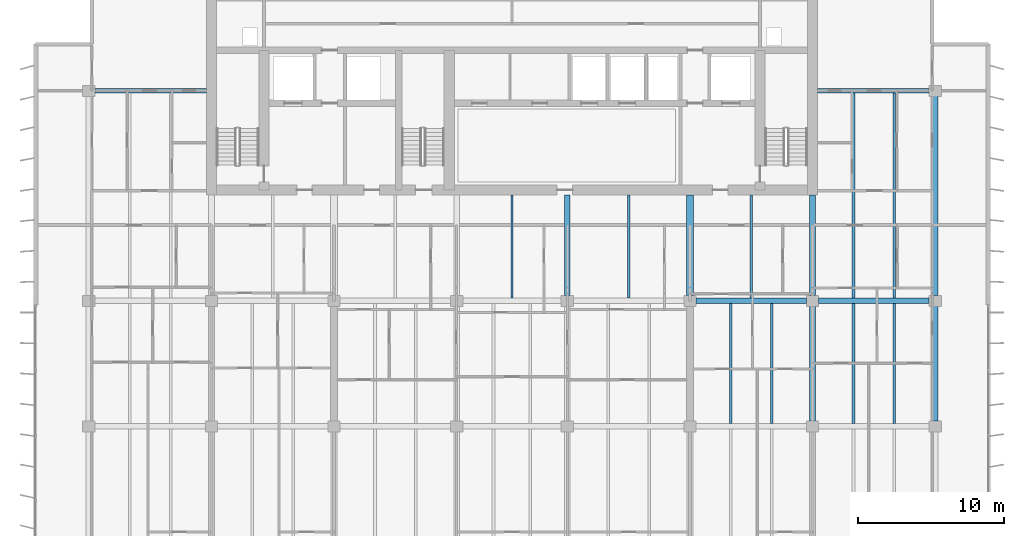
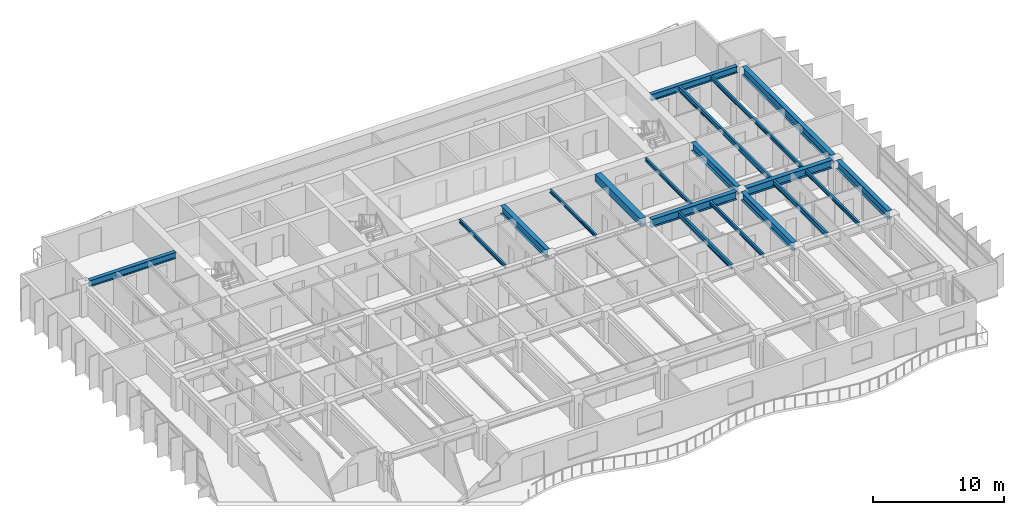
# One storey, part 5 of 18: 19 beams.
"""IFC4 building model written with IfcOpenShell, lengths in metres."""

from ifc_helpers import new_model, si_unit, direction, frame, origin, origin_2d, place, context, subcontext, project, spatial, rectangle, i_section, extrude, material, material_profile, profile_set, type_object, element, save


model = new_model("IFC4")

# Units and contexts
model_context = context("Model", 3, precision=1e-05, world=origin(), true_north=direction((0.0, 1.0)))
body_context = subcontext(model_context, "Body", "Model", "MODEL_VIEW")
ifc_project = project(units=[si_unit("LENGTHUNIT", "METRE"), si_unit("AREAUNIT", "SQUARE_METRE"), si_unit("VOLUMEUNIT", "CUBIC_METRE"), si_unit("PLANEANGLEUNIT", "RADIAN"), si_unit("MASSUNIT", "GRAM", prefix="KILO")], contexts=[model_context])

# Site, building, storey
site_placement = place(None, origin())
site = spatial("IfcSite", under=ifc_project, at=site_placement, CompositionType="ELEMENT")
building_placement = place(site_placement, origin())
building = spatial("IfcBuilding", under=site, at=building_placement, Name="Caelmar Bay Residences", CompositionType="ELEMENT")
storey_placement = place(building_placement, frame((0.0, 0.0, 173.699951171875)))
storey = spatial("IfcBuildingStorey", under=building, at=storey_placement, Name="L48", CompositionType="ELEMENT", Elevation=173.699951171875)

# Beams
ifc_material_1 = material(Name="Steel ASTM A992 Grade 50", Category="steel")
ifc_material_profile_1 = material_profile(ifc_material_1, i_section(OverallWidth=0.381103515625, OverallDepth=0.77197265625, WebThickness=0.0166015625, FlangeThickness=0.027099609375, FilletRadius=0.0166015625, at=origin_2d()), Name="W30X173")
ifc_profile_set_1 = profile_set([ifc_material_profile_1], Name="Steel ASTM A992 Grade 50")
beam_type_1 = type_object("IfcBeamType", Name="BM-GRD-W30X173", PredefinedType="BEAM", material=ifc_profile_set_1)
for number, where, z_axis, x_axis, name in (
    (1, (51.514892578125, 29.39990234375, 2.6640625), (1.0, 0.0, 0.0), (0.0, 1.0, 0.0), "L48 East-West Girder Y=29.40 (51.1-59.5)"),
    (2, (59.9150390625, 29.39990234375, 2.6640625), (1.0, 0.0, 0.0), (0.0, 1.0, 0.0), "L48 East-West Girder Y=29.40 (59.5-67.9)"),
):
    element("IfcBeam", number, at=place(storey_placement, frame(where, z_axis=z_axis, x_axis=x_axis)), inside=storey, type_object=beam_type_1, Name=name, PredefinedType="BEAM", context=body_context, shape_type="SweptSolid", body=[
        extrude(i_section(OverallWidth=0.381103515625, OverallDepth=0.77197265625, WebThickness=0.0166015625, FlangeThickness=0.027099609375, FilletRadius=0.0166015625, at=origin_2d()), origin(), (0.0, 0.0, 1.0), 7.570068359375),
    ])
for number, where, z_axis, x_axis, name in (
    (3, (42.699951171875, 29.764892578125, 2.6640625), (0.0, 1.0, 0.0), (-1.0, 0.0, 0.0), "L48 Core Tie Girder X=42.70"),
    (4, (59.5, 29.764892578125, 2.6640625), (0.0, 1.0, 0.0), (-1.0, 0.0, 0.0), "L48 Core Tie Girder X=59.50"),
):
    element("IfcBeam", number, at=place(storey_placement, frame(where, z_axis=z_axis, x_axis=x_axis)), inside=storey, type_object=beam_type_1, Name=name, PredefinedType="BEAM", context=body_context, shape_type="SweptSolid", body=[
        extrude(i_section(OverallWidth=0.381103515625, OverallDepth=0.77197265625, WebThickness=0.0166015625, FlangeThickness=0.027099609375, FilletRadius=0.0166015625, at=origin_2d()), origin(), (0.0, 0.0, 1.0), 6.885009765625),
    ])
for number, where, z_axis, x_axis, name in (
    (5, (59.5, 21.1650390625, 2.6640625), (0.0, 1.0, 0.0), (-1.0, 0.0, 0.0), "L48 North-South Girder X=59.50 (20.8-29.4)"),
    (6, (67.89990234375, 21.1650390625, 2.6640625), (0.0, 1.0, 0.0), (-1.0, 0.0, 0.0), "L48 North-South Girder X=67.90 (20.8-29.4)"),
):
    element("IfcBeam", number, at=place(storey_placement, frame(where, z_axis=z_axis, x_axis=x_axis)), inside=storey, type_object=beam_type_1, Name=name, PredefinedType="BEAM", context=body_context, shape_type="SweptSolid", body=[
        extrude(i_section(OverallWidth=0.381103515625, OverallDepth=0.77197265625, WebThickness=0.0166015625, FlangeThickness=0.027099609375, FilletRadius=0.0166015625, at=origin_2d()), origin(), (0.0, 0.0, 1.0), 7.869873046875),
    ])
beam_1_placement = place(storey_placement, frame((67.89990234375, 29.764892578125, 2.6640625), z_axis=(0.0, 1.0, 0.0), x_axis=(-1.0, 0.0, 0.0)))
element("IfcBeam", 7, at=beam_1_placement, inside=storey, type_object=beam_type_1, Name="L48 North-South Girder X=67.90 (29.4-43.8)", PredefinedType="BEAM", context=body_context, shape_type="SweptSolid", body=[
    extrude(i_section(OverallWidth=0.381103515625, OverallDepth=0.77197265625, WebThickness=0.0166015625, FlangeThickness=0.027099609375, FilletRadius=0.0166015625, at=origin_2d()), origin(), (0.0, 0.0, 1.0), 13.670166015625),
])
ifc_material_profile_2 = material_profile(ifc_material_1, i_section(OverallWidth=0.1650390625, OverallDepth=0.31005859375, WebThickness=0.005859375, FlangeThickness=0.009765625, FilletRadius=0.007568359375, at=origin_2d()), Name="W12X26")
ifc_profile_set_2 = profile_set([ifc_material_profile_2], Name="Steel ASTM A992 Grade 50")
beam_type_2 = type_object("IfcBeamType", Name="BM-JST-W12X26", PredefinedType="JOIST", material=ifc_profile_set_2)
for number, where, z_axis, x_axis, name in (
    (8, (38.89990234375, 29.590576171875, 2.89501953125), (0.0, 1.0, 0.0), (-1.0, 0.0, 0.0), "L48 Core-Band Composite Joist 31"),
    (9, (46.89990234375, 29.590576171875, 2.89501953125), (0.0, 1.0, 0.0), (-1.0, 0.0, 0.0), "L48 Core-Band Composite Joist 32"),
    (10, (55.300048828125, 29.590576171875, 2.89501953125), (0.0, 1.0, 0.0), (-1.0, 0.0, 0.0), "L48 Core-Band Composite Joist 33"),
):
    element("IfcBeam", number, at=place(storey_placement, frame(where, z_axis=z_axis, x_axis=x_axis)), inside=storey, type_object=beam_type_2, Name=name, PredefinedType="JOIST", context=body_context, shape_type="SweptSolid", body=[
        extrude(i_section(OverallWidth=0.1650390625, OverallDepth=0.31005859375, WebThickness=0.005859375, FlangeThickness=0.009765625, FilletRadius=0.007568359375, at=origin_2d()), origin(), (0.0, 0.0, 1.0), 7.059326171875),
    ])
ifc_material_profile_3 = material_profile(ifc_material_1, i_section(OverallWidth=0.1708984375, OverallDepth=0.35595703125, WebThickness=0.007080078125, FlangeThickness=0.01171875, FilletRadius=0.007568359375, at=origin_2d()), Name="W14X34")
ifc_profile_set_3 = profile_set([ifc_material_profile_3], Name="Steel ASTM A992 Grade 50")
beam_type_3 = type_object("IfcBeamType", Name="BM-JST-W14X34", PredefinedType="JOIST", material=ifc_profile_set_3)
for number, where, z_axis, x_axis, name in (
    (11, (56.699951171875, 20.990478515625, 2.8720703125), (0.0, 1.0, 0.0), (-1.0, 0.0, 0.0), "L48 Composite Floor Joist 26"),
    (12, (65.10009765625, 20.990478515625, 2.8720703125), (0.0, 1.0, 0.0), (-1.0, 0.0, 0.0), "L48 Composite Floor Joist 28"),
):
    element("IfcBeam", number, at=place(storey_placement, frame(where, z_axis=z_axis, x_axis=x_axis)), inside=storey, type_object=beam_type_3, Name=name, PredefinedType="JOIST", context=body_context, shape_type="SweptSolid", body=[
        extrude(i_section(OverallWidth=0.1708984375, OverallDepth=0.35595703125, WebThickness=0.007080078125, FlangeThickness=0.01171875, FilletRadius=0.007568359375, at=origin_2d()), origin(), (0.0, 0.0, 1.0), 8.218994140625),
    ])
beam_2_placement = place(storey_placement, frame((65.10009765625, 29.590576171875, 2.8720703125), z_axis=(0.0, 1.0, 0.0), x_axis=(-1.0, 0.0, 0.0)))
element("IfcBeam", 13, at=beam_2_placement, inside=storey, type_object=beam_type_3, Name="L48 Composite Floor Joist 37", PredefinedType="JOIST", context=body_context, shape_type="SweptSolid", body=[
    extrude(i_section(OverallWidth=0.1708984375, OverallDepth=0.35595703125, WebThickness=0.007080078125, FlangeThickness=0.01171875, FilletRadius=0.007568359375, at=origin_2d()), origin(), (0.0, 0.0, 1.0), 14.046875),
])
ifc_material_profile_4 = material_profile(ifc_material_1, i_section(OverallWidth=0.19091796875, OverallDepth=0.45703125, WebThickness=0.009033203125, FlangeThickness=0.014404296875, FilletRadius=0.01025390625, at=origin_2d()), Name="W18X50")
ifc_profile_set_4 = profile_set([ifc_material_profile_4], Name="Steel ASTM A992 Grade 50")
beam_type_4 = type_object("IfcBeamType", Name="BM-JST-W18X50", PredefinedType="JOIST", material=ifc_profile_set_4)
for number, where, z_axis, x_axis, name in (
    (14, (53.89990234375, 20.990478515625, 2.821533203125), (0.0, 1.0, 0.0), (-1.0, 0.0, 0.0), "L48 Composite Floor Joist 25"),
    (15, (62.300048828125, 20.990478515625, 2.821533203125), (0.0, 1.0, 0.0), (-1.0, 0.0, 0.0), "L48 Composite Floor Joist 27"),
):
    element("IfcBeam", number, at=place(storey_placement, frame(where, z_axis=z_axis, x_axis=x_axis)), inside=storey, type_object=beam_type_4, Name=name, PredefinedType="JOIST", context=body_context, shape_type="SweptSolid", body=[
        extrude(i_section(OverallWidth=0.19091796875, OverallDepth=0.45703125, WebThickness=0.009033203125, FlangeThickness=0.014404296875, FilletRadius=0.01025390625, at=origin_2d()), origin(), (0.0, 0.0, 1.0), 8.218994140625),
    ])
beam_3_placement = place(storey_placement, frame((62.300048828125, 29.590576171875, 2.821533203125), z_axis=(0.0, 1.0, 0.0), x_axis=(-1.0, 0.0, 0.0)))
element("IfcBeam", 16, at=beam_3_placement, inside=storey, type_object=beam_type_4, Name="L48 Composite Floor Joist 36", PredefinedType="JOIST", context=body_context, shape_type="SweptSolid", body=[
    extrude(i_section(OverallWidth=0.19091796875, OverallDepth=0.45703125, WebThickness=0.009033203125, FlangeThickness=0.014404296875, FilletRadius=0.01025390625, at=origin_2d()), origin(), (0.0, 0.0, 1.0), 14.046875),
])
ifc_material_2 = material(Name="Concrete f'c 55 MPa (8,000 psi)", Category="concrete")
ifc_material_profile_5 = material_profile(ifc_material_2, rectangle(XDim=0.5, YDim=0.699951171875, at=origin_2d()), Name="RC-BM-500X700")
ifc_profile_set_5 = profile_set([ifc_material_profile_5], Name="Concrete f'c 55 MPa (8,000 psi)")
beam_type_5 = type_object("IfcBeamType", Name="BM-RC-500X700", PredefinedType="LINTEL", material=ifc_profile_set_5)
beam_4_placement = place(storey_placement, frame((51.10009765625, 29.764892578125, 2.699951171875), z_axis=(0.0, 1.0, 0.0), x_axis=(-1.0, 0.0, 0.0)))
element("IfcBeam", 17, at=beam_4_placement, inside=storey, type_object=beam_type_5, Name="L48 Shear-Wall Corridor Coupling Lintel E8", PredefinedType="LINTEL", context=body_context, shape_type="SweptSolid", body=[
    extrude(rectangle(XDim=0.5, YDim=0.699951171875, at=origin_2d()), origin(), (0.0, 0.0, 1.0), 6.885009765625),
])
ifc_material_profile_6 = material_profile(ifc_material_1, i_section(OverallWidth=0.324951171875, OverallDepth=0.616943359375, WebThickness=0.013916015625, FlangeThickness=0.021484375, FilletRadius=0.0126953125, at=origin_2d()), Name="W24X117")
ifc_profile_set_6 = profile_set([ifc_material_profile_6], Name="Steel ASTM A992 Grade 50")
beam_type_6 = type_object("IfcBeamType", Name="BM-SPN-W24X117", PredefinedType="SPANDREL", material=ifc_profile_set_6)
for number, where, z_axis, x_axis, name in (
    (18, (10.31494140625, 43.800048828125, 2.741455078125), (1.0, 0.0, 0.0), (0.0, 1.0, 0.0), "L48 North-West Wing Core Tie Girder"),
    (19, (59.85009765625, 43.800048828125, 2.741455078125), (1.0, 0.0, 0.0), (0.0, 1.0, 0.0), "L48 North-East Wing Core Tie Girder"),
):
    element("IfcBeam", number, at=place(storey_placement, frame(where, z_axis=z_axis, x_axis=x_axis)), inside=storey, type_object=beam_type_6, Name=name, PredefinedType="SPANDREL", context=body_context, shape_type="SweptSolid", body=[
        extrude(i_section(OverallWidth=0.324951171875, OverallDepth=0.616943359375, WebThickness=0.013916015625, FlangeThickness=0.021484375, FilletRadius=0.0126953125, at=origin_2d()), origin(), (0.0, 0.0, 1.0), 7.635009765625),
    ])

save(model, "model.ifc")
